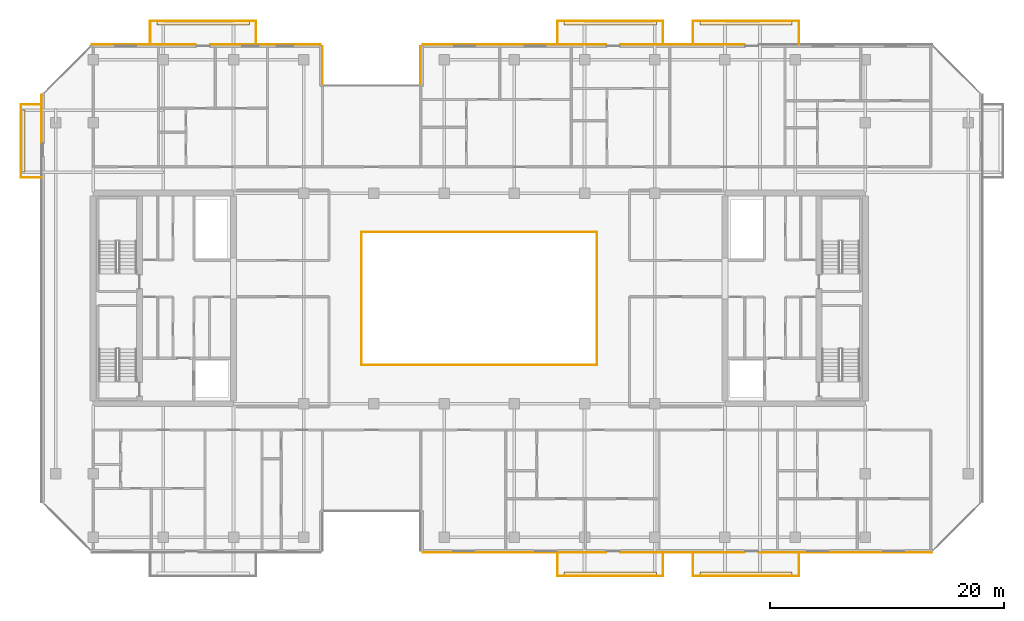
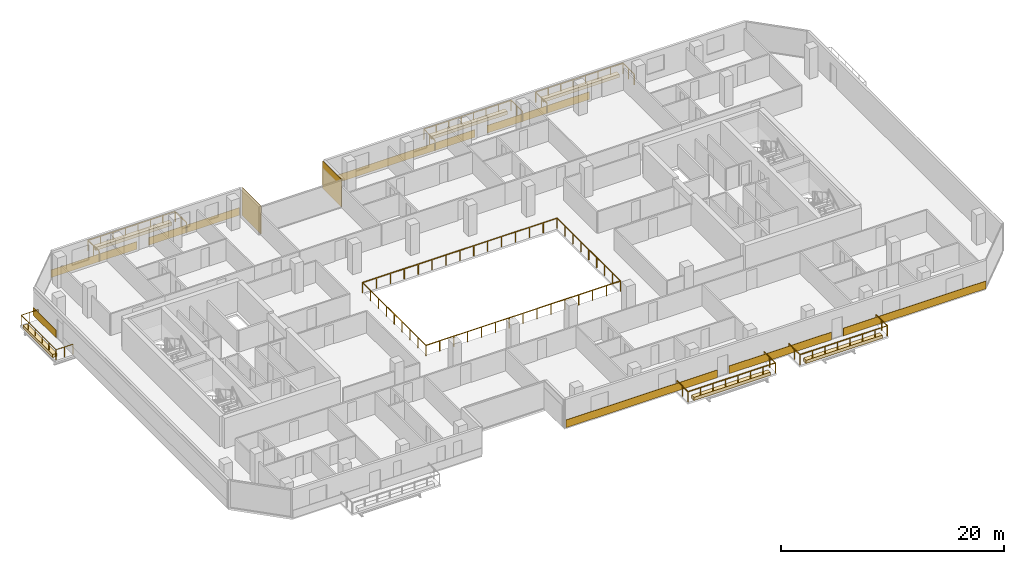
# One storey, part 28 of 29: 16 coverings, 8 railings.
"""IFC4 building model written with IfcOpenShell, lengths in metres."""

from ifc_helpers import new_model, si_unit, direction, frame, origin, origin_2d, place, context, subcontext, project, spatial, polyline, rectangle, outline, extrude, material, layer, layer_set, type_object, element, save


model = new_model("IFC4")

# Units and contexts
model_context = context("Model", 3, precision=1e-05, world=origin(), true_north=direction((0.0, 1.0)))
body_context = subcontext(model_context, "Body", "Model", "MODEL_VIEW")
ifc_project = project(units=[si_unit("LENGTHUNIT", "METRE"), si_unit("AREAUNIT", "SQUARE_METRE"), si_unit("VOLUMEUNIT", "CUBIC_METRE"), si_unit("PLANEANGLEUNIT", "RADIAN"), si_unit("MASSUNIT", "GRAM", prefix="KILO")], contexts=[model_context])

# Site, building, storey
site_placement = place(None, origin())
site = spatial("IfcSite", under=ifc_project, at=site_placement, CompositionType="ELEMENT")
building_placement = place(site_placement, origin())
building = spatial("IfcBuilding", under=site, at=building_placement, Name="Tanjung Sevakor Pilgrim Tower", CompositionType="ELEMENT")
storey_placement = place(building_placement, frame((0.0, 0.0, 151.800048828125)))
storey = spatial("IfcBuildingStorey", under=building, at=storey_placement, Name="L42", CompositionType="ELEMENT", Elevation=151.800048828125)

# Coverings
ifc_material_1 = material(Name="Reconstructed Limestone Cladding", Category="masonry")
ifc_layer_1 = layer(ifc_material_1, 0.044921875)
ifc_layer_set_1 = layer_set([ifc_layer_1], Name="COV-CLAD-LIMESTONE")
covering_type_1 = type_object("IfcCoveringType", Name="COV-CLAD-LIMESTONE", PredefinedType="CLADDING", material=ifc_layer_set_1)
covering_1_placement = place(storey_placement, frame((60.00244140625, 11.87744140625, 0.009765625), z_axis=(0.0, 0.0, 1.0), x_axis=(1.0, 0.0, 0.0)))
element("IfcCovering", 1, at=covering_1_placement, inside=storey, type_object=covering_type_1, Name="L42 Warm Limestone Sill Spandrel EW-L42-MAIN-5-1", PredefinedType="CLADDING", context=body_context, shape_type="SweptSolid", body=[
    extrude(rectangle(XDim=15.675048828125, YDim=0.044921875, at=origin_2d()), origin(), (0.0, 0.0, 1.0), 0.840087890625),
])
covering_2_placement = place(storey_placement, frame((74.375, 11.87744140625, 0.009765625), z_axis=(0.0, 0.0, 1.0), x_axis=(1.0, 0.0, 0.0)))
element("IfcCovering", 2, at=covering_2_placement, inside=storey, type_object=covering_type_1, Name="L42 Warm Limestone Sill Spandrel EW-L42-MAIN-5-2", PredefinedType="CLADDING", context=body_context, shape_type="SweptSolid", body=[
    extrude(rectangle(XDim=10.6298828125, YDim=0.044921875, at=origin_2d()), origin(), (0.0, 0.0, 1.0), 0.840087890625),
])
covering_3_placement = place(storey_placement, frame((88.30908203125, 11.87744140625, 0.009765625), z_axis=(0.0, 0.0, 1.0), x_axis=(1.0, 0.0, 0.0)))
element("IfcCovering", 3, at=covering_3_placement, inside=storey, type_object=covering_type_1, Name="L42 Warm Limestone Sill Spandrel EW-L42-MAIN-5-3", PredefinedType="CLADDING", context=body_context, shape_type="SweptSolid", body=[
    extrude(rectangle(XDim=14.798095703125, YDim=0.044921875, at=origin_2d()), origin(), (0.0, 0.0, 1.0), 0.840087890625),
])
covering_4_placement = place(storey_placement, frame((74.375, 55.322509765625, 0.009765625), z_axis=(0.0, 0.0, 1.0), x_axis=(-1.0, 0.0, 0.0)))
element("IfcCovering", 4, at=covering_4_placement, inside=storey, type_object=covering_type_1, Name="L42 Warm Limestone Sill Spandrel EW-L42-MAIN-9-2", PredefinedType="CLADDING", context=body_context, shape_type="SweptSolid", body=[
    extrude(rectangle(XDim=10.6298828125, YDim=0.044921875, at=origin_2d()), origin(), (0.0, 0.0, 1.0), 0.840087890625),
])
covering_5_placement = place(storey_placement, frame((60.00244140625, 55.322509765625, 0.009765625), z_axis=(0.0, 0.0, 1.0), x_axis=(-1.0, 0.0, 0.0)))
element("IfcCovering", 5, at=covering_5_placement, inside=storey, type_object=covering_type_1, Name="L42 Warm Limestone Sill Spandrel EW-L42-MAIN-9-3", PredefinedType="CLADDING", context=body_context, shape_type="SweptSolid", body=[
    extrude(rectangle(XDim=15.675048828125, YDim=0.044921875, at=origin_2d()), origin(), (0.0, 0.0, 1.0), 0.840087890625),
])
for number, where, z_axis, x_axis, name in (
    (6, (51.9775390625, 53.47509765625, 0.02001953125), (0.0, 0.0, 1.0), (0.0, -1.0, 0.0), "L42 Warm Limestone Wall Cladding EW-L42-MAIN-10"),
    (7, (43.62255859375, 53.47509765625, 0.02001953125), (0.0, 0.0, 1.0), (0.0, 1.0, 0.0), "L42 Warm Limestone Wall Cladding EW-L42-MAIN-12"),
):
    element("IfcCovering", number, at=place(storey_placement, frame(where, z_axis=z_axis, x_axis=x_axis)), inside=storey, type_object=covering_type_1, Name=name, PredefinedType="CLADDING", context=body_context, shape_type="SweptSolid", body=[
        extrude(rectangle(XDim=3.360107421875, YDim=0.044921875, at=origin_2d()), origin(), (0.0, 0.0, 1.0), 3.0400390625),
    ])
covering_6_placement = place(storey_placement, frame((38.722412109375, 55.322509765625, 0.009765625), z_axis=(0.0, 0.0, 1.0), x_axis=(-1.0, 0.0, 0.0)))
element("IfcCovering", 8, at=covering_6_placement, inside=storey, type_object=covering_type_1, Name="L42 Warm Limestone Sill Spandrel EW-L42-MAIN-13-1", PredefinedType="CLADDING", context=body_context, shape_type="SweptSolid", body=[
    extrude(rectangle(XDim=9.425048828125, YDim=0.044921875, at=origin_2d()), origin(), (0.0, 0.0, 1.0), 0.840087890625),
])
covering_7_placement = place(storey_placement, frame((28.3408203125, 55.322509765625, 0.009765625), z_axis=(0.0, 0.0, 1.0), x_axis=(-1.0, 0.0, 0.0)))
element("IfcCovering", 9, at=covering_7_placement, inside=storey, type_object=covering_type_1, Name="L42 Warm Limestone Sill Spandrel EW-L42-MAIN-13-2", PredefinedType="CLADDING", context=body_context, shape_type="SweptSolid", body=[
    extrude(rectangle(XDim=8.898193359375, YDim=0.044921875, at=origin_2d()), origin(), (0.0, 0.0, 1.0), 0.840087890625),
])
covering_8_placement = place(storey_placement, frame((19.577392578125, 48.958984375, 0.009765625), z_axis=(0.0, 0.0, 1.0), x_axis=(0.0, -1.0, 0.0)))
element("IfcCovering", 10, at=covering_8_placement, inside=storey, type_object=covering_type_1, Name="L42 Warm Limestone Sill Spandrel EW-L42-MAIN-15-1", PredefinedType="CLADDING", context=body_context, shape_type="SweptSolid", body=[
    extrude(rectangle(XDim=4.09814453125, YDim=0.044921875, at=origin_2d()), origin(), (0.0, 0.0, 1.0), 0.840087890625),
])
ifc_material_2 = material(Name="Vegetated Modular Planter Assembly", Category="organic")
ifc_layer_2 = layer(ifc_material_2, 0.35009765625)
ifc_layer_set_2 = layer_set([ifc_layer_2], Name="COV-GRN-TROUGH")
covering_type_2 = type_object("IfcCoveringType", Name="COV-GRN-TROUGH", PredefinedType="CLADDING", material=ifc_layer_set_2)
covering_9_placement = place(storey_placement, origin())
element("IfcCovering", 11, at=covering_9_placement, inside=storey, type_object=covering_type_2, Name="L42 Planted Landscape Hedge Trough BGRN-L42-MAIN-N1", PredefinedType="CLADDING", context=body_context, shape_type="SweptSolid", body=[
    extrude(outline(polyline([(29.449951171875, 56.9599609375), (37.35009765625, 56.9599609375), (37.35009765625, 57.39990234375), (29.449951171875, 57.39990234375), (29.449951171875, 56.9599609375)])), origin(), (0.0, 0.0, 1.0), 0.349853515625),
])
covering_10_placement = place(storey_placement, origin())
element("IfcCovering", 12, at=covering_10_placement, inside=storey, type_object=covering_type_2, Name="L42 Planted Landscape Hedge Trough BGRN-L42-MAIN-S2", PredefinedType="CLADDING", context=body_context, shape_type="SweptSolid", body=[
    extrude(outline(polyline([(64.25, 9.800048828125), (72.14990234375, 9.800048828125), (72.14990234375, 10.239990234375), (64.25, 10.239990234375), (64.25, 9.800048828125)])), origin(), (0.0, 0.0, 1.0), 0.349853515625),
])
covering_11_placement = place(storey_placement, origin())
element("IfcCovering", 13, at=covering_11_placement, inside=storey, type_object=covering_type_2, Name="L42 Planted Landscape Hedge Trough BGRN-L42-MAIN-N2", PredefinedType="CLADDING", context=body_context, shape_type="SweptSolid", body=[
    extrude(outline(polyline([(64.25, 56.9599609375), (72.14990234375, 56.9599609375), (72.14990234375, 57.39990234375), (64.25, 57.39990234375), (64.25, 56.9599609375)])), origin(), (0.0, 0.0, 1.0), 0.349853515625),
])
covering_12_placement = place(storey_placement, origin())
element("IfcCovering", 14, at=covering_12_placement, inside=storey, type_object=covering_type_2, Name="L42 Planted Landscape Hedge Trough BGRN-L42-MAIN-S3", PredefinedType="CLADDING", context=body_context, shape_type="SweptSolid", body=[
    extrude(outline(polyline([(75.85009765625, 9.800048828125), (83.75, 9.800048828125), (83.75, 10.239990234375), (75.85009765625, 10.239990234375), (75.85009765625, 9.800048828125)])), origin(), (0.0, 0.0, 1.0), 0.349853515625),
])
covering_13_placement = place(storey_placement, origin())
element("IfcCovering", 15, at=covering_13_placement, inside=storey, type_object=covering_type_2, Name="L42 Planted Landscape Hedge Trough BGRN-L42-MAIN-N3", PredefinedType="CLADDING", context=body_context, shape_type="SweptSolid", body=[
    extrude(outline(polyline([(75.85009765625, 56.9599609375), (83.75, 56.9599609375), (83.75, 57.39990234375), (75.85009765625, 57.39990234375), (75.85009765625, 56.9599609375)])), origin(), (0.0, 0.0, 1.0), 0.349853515625),
])
covering_14_placement = place(storey_placement, origin())
element("IfcCovering", 16, at=covering_14_placement, inside=storey, type_object=covering_type_2, Name="L42 Planted Landscape Hedge Trough BGRN-L42-MAIN-W1", PredefinedType="CLADDING", context=body_context, shape_type="SweptSolid", body=[
    extrude(outline(polyline([(18.18994140625, 44.39990234375), (18.18994140625, 49.699951171875), (17.75, 49.699951171875), (17.75, 44.39990234375), (18.18994140625, 44.39990234375)])), origin(), (0.0, 0.0, 1.0), 0.349853515625),
])

# Railings
ifc_material_3 = material(Name="Laminated Glass and Aluminium", Category="aluminium")
railing_type = type_object("IfcRailingType", Name="RL-BAL-BALUST", PredefinedType="BALUSTRADE", material=ifc_material_3)
railing_1_placement = place(storey_placement, frame((46.919921875, 27.919921875, 0.0)))
element("IfcRailing", 17, at=railing_1_placement, inside=storey, type_object=railing_type, Name="L42 Void Opening Balustrade 1A", PredefinedType="BALUSTRADE", context=body_context, shape_type="SweptSolid", body=[
    extrude(rectangle(XDim=0.0479, YDim=0.0479), frame((0.0, 0.0, 1.1259765625), z_axis=(1.0, 0.0, 0.0), x_axis=(0.0, 1.0, 0.0)), (0.0, 0.0, 1.0), 20.16015625),
    extrude(rectangle(XDim=0.0479, YDim=0.0479), frame((20.16015625, 0.0, 1.1259765625), z_axis=(0.0, 1.0, 0.0), x_axis=(-1.0, 0.0, 0.0)), (0.0, 0.0, 1.0), 11.360107421875),
    extrude(rectangle(XDim=0.042, YDim=0.042), origin(), (0.0, 0.0, 1.0), 1.101806640625),
    extrude(rectangle(XDim=0.042, YDim=0.042), frame((1.43994140625, 0.0, 0.0)), (0.0, 0.0, 1.0), 1.101806640625),
    extrude(rectangle(XDim=0.042, YDim=0.042), frame((2.880126953125, 0.0, 0.0)), (0.0, 0.0, 1.0), 1.101806640625),
    extrude(rectangle(XDim=0.042, YDim=0.042), frame((4.320068359375, 0.0, 0.0)), (0.0, 0.0, 1.0), 1.101806640625),
    extrude(rectangle(XDim=0.042, YDim=0.042), frame((5.760009765625, 0.0, 0.0)), (0.0, 0.0, 1.0), 1.101806640625),
    extrude(rectangle(XDim=0.042, YDim=0.042), frame((7.199951171875, 0.0, 0.0)), (0.0, 0.0, 1.0), 1.101806640625),
    extrude(rectangle(XDim=0.042, YDim=0.042), frame((8.64013671875, 0.0, 0.0)), (0.0, 0.0, 1.0), 1.101806640625),
    extrude(rectangle(XDim=0.042, YDim=0.042), frame((10.080078125, 0.0, 0.0)), (0.0, 0.0, 1.0), 1.101806640625),
    extrude(rectangle(XDim=0.042, YDim=0.042), frame((11.52001953125, 0.0, 0.0)), (0.0, 0.0, 1.0), 1.101806640625),
    extrude(rectangle(XDim=0.042, YDim=0.042), frame((12.960205078125, 0.0, 0.0)), (0.0, 0.0, 1.0), 1.101806640625),
    extrude(rectangle(XDim=0.042, YDim=0.042), frame((14.400146484375, 0.0, 0.0)), (0.0, 0.0, 1.0), 1.101806640625),
    extrude(rectangle(XDim=0.042, YDim=0.042), frame((15.840087890625, 0.0, 0.0)), (0.0, 0.0, 1.0), 1.101806640625),
    extrude(rectangle(XDim=0.042, YDim=0.042), frame((17.280029296875, 0.0, 0.0)), (0.0, 0.0, 1.0), 1.101806640625),
    extrude(rectangle(XDim=0.042, YDim=0.042), frame((18.72021484375, 0.0, 0.0)), (0.0, 0.0, 1.0), 1.101806640625),
    extrude(rectangle(XDim=0.042, YDim=0.042), frame((20.16015625, 0.0, 0.0)), (0.0, 0.0, 1.0), 1.101806640625),
    extrude(rectangle(XDim=0.042, YDim=0.042), frame((20.16015625, 1.419921875, 0.0)), (0.0, 0.0, 1.0), 1.101806640625),
    extrude(rectangle(XDim=0.042, YDim=0.042), frame((20.16015625, 2.840087890625, 0.0)), (0.0, 0.0, 1.0), 1.101806640625),
    extrude(rectangle(XDim=0.042, YDim=0.042), frame((20.16015625, 4.260009765625, 0.0)), (0.0, 0.0, 1.0), 1.101806640625),
    extrude(rectangle(XDim=0.042, YDim=0.042), frame((20.16015625, 5.68017578125, 0.0)), (0.0, 0.0, 1.0), 1.101806640625),
    extrude(rectangle(XDim=0.042, YDim=0.042), frame((20.16015625, 7.10009765625, 0.0)), (0.0, 0.0, 1.0), 1.101806640625),
    extrude(rectangle(XDim=0.042, YDim=0.042), frame((20.16015625, 8.52001953125, 0.0)), (0.0, 0.0, 1.0), 1.101806640625),
    extrude(rectangle(XDim=0.042, YDim=0.042), frame((20.16015625, 9.940185546875, 0.0)), (0.0, 0.0, 1.0), 1.101806640625),
    extrude(rectangle(XDim=0.042, YDim=0.042), frame((20.16015625, 11.360107421875, 0.0)), (0.0, 0.0, 1.0), 1.101806640625),
])
railing_2_placement = place(storey_placement, frame((67.080078125, 39.280029296875, 0.0)))
element("IfcRailing", 18, at=railing_2_placement, inside=storey, type_object=railing_type, Name="L42 Void Opening Balustrade 1B", PredefinedType="BALUSTRADE", context=body_context, shape_type="SweptSolid", body=[
    extrude(rectangle(XDim=0.0479, YDim=0.0479), frame((0.0, 0.0, 1.1259765625), z_axis=(-1.0, 0.0, 0.0), x_axis=(0.0, -1.0, 0.0)), (0.0, 0.0, 1.0), 20.16015625),
    extrude(rectangle(XDim=0.0479, YDim=0.0479), frame((-20.16015625, 0.0, 1.1259765625), z_axis=(0.0, -1.0, 0.0), x_axis=(1.0, 0.0, 0.0)), (0.0, 0.0, 1.0), 11.360107421875),
    extrude(rectangle(XDim=0.042, YDim=0.042), origin(), (0.0, 0.0, 1.0), 1.101806640625),
    extrude(rectangle(XDim=0.042, YDim=0.042), frame((-1.43994140625, 0.0, 0.0)), (0.0, 0.0, 1.0), 1.101806640625),
    extrude(rectangle(XDim=0.042, YDim=0.042), frame((-2.880126953125, 0.0, 0.0)), (0.0, 0.0, 1.0), 1.101806640625),
    extrude(rectangle(XDim=0.042, YDim=0.042), frame((-4.320068359375, 0.0, 0.0)), (0.0, 0.0, 1.0), 1.101806640625),
    extrude(rectangle(XDim=0.042, YDim=0.042), frame((-5.760009765625, 0.0, 0.0)), (0.0, 0.0, 1.0), 1.101806640625),
    extrude(rectangle(XDim=0.042, YDim=0.042), frame((-7.199951171875, 0.0, 0.0)), (0.0, 0.0, 1.0), 1.101806640625),
    extrude(rectangle(XDim=0.042, YDim=0.042), frame((-8.64013671875, 0.0, 0.0)), (0.0, 0.0, 1.0), 1.101806640625),
    extrude(rectangle(XDim=0.042, YDim=0.042), frame((-10.080078125, 0.0, 0.0)), (0.0, 0.0, 1.0), 1.101806640625),
    extrude(rectangle(XDim=0.042, YDim=0.042), frame((-11.52001953125, 0.0, 0.0)), (0.0, 0.0, 1.0), 1.101806640625),
    extrude(rectangle(XDim=0.042, YDim=0.042), frame((-12.960205078125, 0.0, 0.0)), (0.0, 0.0, 1.0), 1.101806640625),
    extrude(rectangle(XDim=0.042, YDim=0.042), frame((-14.400146484375, 0.0, 0.0)), (0.0, 0.0, 1.0), 1.101806640625),
    extrude(rectangle(XDim=0.042, YDim=0.042), frame((-15.840087890625, 0.0, 0.0)), (0.0, 0.0, 1.0), 1.101806640625),
    extrude(rectangle(XDim=0.042, YDim=0.042), frame((-17.280029296875, 0.0, 0.0)), (0.0, 0.0, 1.0), 1.101806640625),
    extrude(rectangle(XDim=0.042, YDim=0.042), frame((-18.72021484375, 0.0, 0.0)), (0.0, 0.0, 1.0), 1.101806640625),
    extrude(rectangle(XDim=0.042, YDim=0.042), frame((-20.16015625, 0.0, 0.0)), (0.0, 0.0, 1.0), 1.101806640625),
    extrude(rectangle(XDim=0.042, YDim=0.042), frame((-20.16015625, -1.419921875, 0.0)), (0.0, 0.0, 1.0), 1.101806640625),
    extrude(rectangle(XDim=0.042, YDim=0.042), frame((-20.16015625, -2.840087890625, 0.0)), (0.0, 0.0, 1.0), 1.101806640625),
    extrude(rectangle(XDim=0.042, YDim=0.042), frame((-20.16015625, -4.260009765625, 0.0)), (0.0, 0.0, 1.0), 1.101806640625),
    extrude(rectangle(XDim=0.042, YDim=0.042), frame((-20.16015625, -5.68017578125, 0.0)), (0.0, 0.0, 1.0), 1.101806640625),
    extrude(rectangle(XDim=0.042, YDim=0.042), frame((-20.16015625, -7.10009765625, 0.0)), (0.0, 0.0, 1.0), 1.101806640625),
    extrude(rectangle(XDim=0.042, YDim=0.042), frame((-20.16015625, -8.52001953125, 0.0)), (0.0, 0.0, 1.0), 1.101806640625),
    extrude(rectangle(XDim=0.042, YDim=0.042), frame((-20.16015625, -9.940185546875, 0.0)), (0.0, 0.0, 1.0), 1.101806640625),
    extrude(rectangle(XDim=0.042, YDim=0.042), frame((-20.16015625, -11.360107421875, 0.0)), (0.0, 0.0, 1.0), 1.101806640625),
])
railing_3_placement = place(storey_placement, frame((28.8798828125, 55.300048828125, 0.0)))
element("IfcRailing", 19, at=railing_3_placement, inside=storey, type_object=railing_type, Name="L42 Loggia Balustrade MAIN-N1", PredefinedType="BALUSTRADE", context=body_context, shape_type="SweptSolid", body=[
    extrude(rectangle(XDim=0.0479, YDim=0.0479), frame((0.0, 0.0, 1.1259765625), z_axis=(0.0, 1.0, 0.0), x_axis=(-1.0, 0.0, 0.0)), (0.0, 0.0, 1.0), 2.02001953125),
    extrude(rectangle(XDim=0.0479, YDim=0.0479), frame((0.0, 2.02001953125, 1.1259765625), z_axis=(1.0, 0.0, 0.0), x_axis=(0.0, 1.0, 0.0)), (0.0, 0.0, 1.0), 9.0400390625),
    extrude(rectangle(XDim=0.0479, YDim=0.0479), frame((9.0400390625, 2.02001953125, 1.1259765625), z_axis=(0.0, -1.0, 0.0), x_axis=(1.0, 0.0, 0.0)), (0.0, 0.0, 1.0), 2.02001953125),
    extrude(rectangle(XDim=0.042, YDim=0.042), origin(), (0.0, 0.0, 1.0), 1.101806640625),
    extrude(rectangle(XDim=0.042, YDim=0.042), frame((0.0, 1.010009765625, 0.0)), (0.0, 0.0, 1.0), 1.101806640625),
    extrude(rectangle(XDim=0.042, YDim=0.042), frame((0.0, 2.02001953125, 0.0)), (0.0, 0.0, 1.0), 1.101806640625),
    extrude(rectangle(XDim=0.042, YDim=0.042), frame((1.29150390625, 2.02001953125, 0.0)), (0.0, 0.0, 1.0), 1.101806640625),
    extrude(rectangle(XDim=0.042, YDim=0.042), frame((2.582763671875, 2.02001953125, 0.0)), (0.0, 0.0, 1.0), 1.101806640625),
    extrude(rectangle(XDim=0.042, YDim=0.042), frame((3.874267578125, 2.02001953125, 0.0)), (0.0, 0.0, 1.0), 1.101806640625),
    extrude(rectangle(XDim=0.042, YDim=0.042), frame((5.165771484375, 2.02001953125, 0.0)), (0.0, 0.0, 1.0), 1.101806640625),
    extrude(rectangle(XDim=0.042, YDim=0.042), frame((6.457275390625, 2.02001953125, 0.0)), (0.0, 0.0, 1.0), 1.101806640625),
    extrude(rectangle(XDim=0.042, YDim=0.042), frame((7.74853515625, 2.02001953125, 0.0)), (0.0, 0.0, 1.0), 1.101806640625),
    extrude(rectangle(XDim=0.042, YDim=0.042), frame((9.0400390625, 2.02001953125, 0.0)), (0.0, 0.0, 1.0), 1.101806640625),
    extrude(rectangle(XDim=0.042, YDim=0.042), frame((9.0400390625, 1.010009765625, 0.0)), (0.0, 0.0, 1.0), 1.101806640625),
    extrude(rectangle(XDim=0.042, YDim=0.042), frame((9.0400390625, 0.0, 0.0)), (0.0, 0.0, 1.0), 1.101806640625),
])
railing_4_placement = place(storey_placement, frame((63.679931640625, 11.89990234375, 0.0)))
element("IfcRailing", 20, at=railing_4_placement, inside=storey, type_object=railing_type, Name="L42 Loggia Balustrade MAIN-S2", PredefinedType="BALUSTRADE", context=body_context, shape_type="SweptSolid", body=[
    extrude(rectangle(XDim=0.0479, YDim=0.0479), frame((0.0, 0.0, 1.1259765625), z_axis=(0.0, -1.0, 0.0), x_axis=(1.0, 0.0, 0.0)), (0.0, 0.0, 1.0), 2.02001953125),
    extrude(rectangle(XDim=0.0479, YDim=0.0479), frame((0.0, -2.02001953125, 1.1259765625), z_axis=(1.0, 0.0, 0.0), x_axis=(0.0, 1.0, 0.0)), (0.0, 0.0, 1.0), 9.0400390625),
    extrude(rectangle(XDim=0.0479, YDim=0.0479), frame((9.0400390625, -2.02001953125, 1.1259765625), z_axis=(0.0, 1.0, 0.0), x_axis=(-1.0, 0.0, 0.0)), (0.0, 0.0, 1.0), 2.02001953125),
    extrude(rectangle(XDim=0.042, YDim=0.042), origin(), (0.0, 0.0, 1.0), 1.101806640625),
    extrude(rectangle(XDim=0.042, YDim=0.042), frame((0.0, -1.010009765625, 0.0)), (0.0, 0.0, 1.0), 1.101806640625),
    extrude(rectangle(XDim=0.042, YDim=0.042), frame((0.0, -2.02001953125, 0.0)), (0.0, 0.0, 1.0), 1.101806640625),
    extrude(rectangle(XDim=0.042, YDim=0.042), frame((1.29150390625, -2.02001953125, 0.0)), (0.0, 0.0, 1.0), 1.101806640625),
    extrude(rectangle(XDim=0.042, YDim=0.042), frame((2.582763671875, -2.02001953125, 0.0)), (0.0, 0.0, 1.0), 1.101806640625),
    extrude(rectangle(XDim=0.042, YDim=0.042), frame((3.874267578125, -2.02001953125, 0.0)), (0.0, 0.0, 1.0), 1.101806640625),
    extrude(rectangle(XDim=0.042, YDim=0.042), frame((5.165771484375, -2.02001953125, 0.0)), (0.0, 0.0, 1.0), 1.101806640625),
    extrude(rectangle(XDim=0.042, YDim=0.042), frame((6.457275390625, -2.02001953125, 0.0)), (0.0, 0.0, 1.0), 1.101806640625),
    extrude(rectangle(XDim=0.042, YDim=0.042), frame((7.74853515625, -2.02001953125, 0.0)), (0.0, 0.0, 1.0), 1.101806640625),
    extrude(rectangle(XDim=0.042, YDim=0.042), frame((9.0400390625, -2.02001953125, 0.0)), (0.0, 0.0, 1.0), 1.101806640625),
    extrude(rectangle(XDim=0.042, YDim=0.042), frame((9.0400390625, -1.010009765625, 0.0)), (0.0, 0.0, 1.0), 1.101806640625),
    extrude(rectangle(XDim=0.042, YDim=0.042), frame((9.0400390625, 0.0, 0.0)), (0.0, 0.0, 1.0), 1.101806640625),
])
railing_5_placement = place(storey_placement, frame((63.679931640625, 55.300048828125, 0.0)))
element("IfcRailing", 21, at=railing_5_placement, inside=storey, type_object=railing_type, Name="L42 Loggia Balustrade MAIN-N2", PredefinedType="BALUSTRADE", context=body_context, shape_type="SweptSolid", body=[
    extrude(rectangle(XDim=0.0479, YDim=0.0479), frame((0.0, 0.0, 1.1259765625), z_axis=(0.0, 1.0, 0.0), x_axis=(-1.0, 0.0, 0.0)), (0.0, 0.0, 1.0), 2.02001953125),
    extrude(rectangle(XDim=0.0479, YDim=0.0479), frame((0.0, 2.02001953125, 1.1259765625), z_axis=(1.0, 0.0, 0.0), x_axis=(0.0, 1.0, 0.0)), (0.0, 0.0, 1.0), 9.0400390625),
    extrude(rectangle(XDim=0.0479, YDim=0.0479), frame((9.0400390625, 2.02001953125, 1.1259765625), z_axis=(0.0, -1.0, 0.0), x_axis=(1.0, 0.0, 0.0)), (0.0, 0.0, 1.0), 2.02001953125),
    extrude(rectangle(XDim=0.042, YDim=0.042), origin(), (0.0, 0.0, 1.0), 1.101806640625),
    extrude(rectangle(XDim=0.042, YDim=0.042), frame((0.0, 1.010009765625, 0.0)), (0.0, 0.0, 1.0), 1.101806640625),
    extrude(rectangle(XDim=0.042, YDim=0.042), frame((0.0, 2.02001953125, 0.0)), (0.0, 0.0, 1.0), 1.101806640625),
    extrude(rectangle(XDim=0.042, YDim=0.042), frame((1.29150390625, 2.02001953125, 0.0)), (0.0, 0.0, 1.0), 1.101806640625),
    extrude(rectangle(XDim=0.042, YDim=0.042), frame((2.582763671875, 2.02001953125, 0.0)), (0.0, 0.0, 1.0), 1.101806640625),
    extrude(rectangle(XDim=0.042, YDim=0.042), frame((3.874267578125, 2.02001953125, 0.0)), (0.0, 0.0, 1.0), 1.101806640625),
    extrude(rectangle(XDim=0.042, YDim=0.042), frame((5.165771484375, 2.02001953125, 0.0)), (0.0, 0.0, 1.0), 1.101806640625),
    extrude(rectangle(XDim=0.042, YDim=0.042), frame((6.457275390625, 2.02001953125, 0.0)), (0.0, 0.0, 1.0), 1.101806640625),
    extrude(rectangle(XDim=0.042, YDim=0.042), frame((7.74853515625, 2.02001953125, 0.0)), (0.0, 0.0, 1.0), 1.101806640625),
    extrude(rectangle(XDim=0.042, YDim=0.042), frame((9.0400390625, 2.02001953125, 0.0)), (0.0, 0.0, 1.0), 1.101806640625),
    extrude(rectangle(XDim=0.042, YDim=0.042), frame((9.0400390625, 1.010009765625, 0.0)), (0.0, 0.0, 1.0), 1.101806640625),
    extrude(rectangle(XDim=0.042, YDim=0.042), frame((9.0400390625, 0.0, 0.0)), (0.0, 0.0, 1.0), 1.101806640625),
])
railing_6_placement = place(storey_placement, frame((75.280029296875, 11.89990234375, 0.0)))
element("IfcRailing", 22, at=railing_6_placement, inside=storey, type_object=railing_type, Name="L42 Loggia Balustrade MAIN-S3", PredefinedType="BALUSTRADE", context=body_context, shape_type="SweptSolid", body=[
    extrude(rectangle(XDim=0.0479, YDim=0.0479), frame((0.0, 0.0, 1.1259765625), z_axis=(0.0, -1.0, 0.0), x_axis=(1.0, 0.0, 0.0)), (0.0, 0.0, 1.0), 2.02001953125),
    extrude(rectangle(XDim=0.0479, YDim=0.0479), frame((0.0, -2.02001953125, 1.1259765625), z_axis=(1.0, 0.0, 0.0), x_axis=(0.0, 1.0, 0.0)), (0.0, 0.0, 1.0), 9.0400390625),
    extrude(rectangle(XDim=0.0479, YDim=0.0479), frame((9.0400390625, -2.02001953125, 1.1259765625), z_axis=(0.0, 1.0, 0.0), x_axis=(-1.0, 0.0, 0.0)), (0.0, 0.0, 1.0), 2.02001953125),
    extrude(rectangle(XDim=0.042, YDim=0.042), origin(), (0.0, 0.0, 1.0), 1.101806640625),
    extrude(rectangle(XDim=0.042, YDim=0.042), frame((0.0, -1.010009765625, 0.0)), (0.0, 0.0, 1.0), 1.101806640625),
    extrude(rectangle(XDim=0.042, YDim=0.042), frame((0.0, -2.02001953125, 0.0)), (0.0, 0.0, 1.0), 1.101806640625),
    extrude(rectangle(XDim=0.042, YDim=0.042), frame((1.29150390625, -2.02001953125, 0.0)), (0.0, 0.0, 1.0), 1.101806640625),
    extrude(rectangle(XDim=0.042, YDim=0.042), frame((2.582763671875, -2.02001953125, 0.0)), (0.0, 0.0, 1.0), 1.101806640625),
    extrude(rectangle(XDim=0.042, YDim=0.042), frame((3.874267578125, -2.02001953125, 0.0)), (0.0, 0.0, 1.0), 1.101806640625),
    extrude(rectangle(XDim=0.042, YDim=0.042), frame((5.165771484375, -2.02001953125, 0.0)), (0.0, 0.0, 1.0), 1.101806640625),
    extrude(rectangle(XDim=0.042, YDim=0.042), frame((6.457275390625, -2.02001953125, 0.0)), (0.0, 0.0, 1.0), 1.101806640625),
    extrude(rectangle(XDim=0.042, YDim=0.042), frame((7.74853515625, -2.02001953125, 0.0)), (0.0, 0.0, 1.0), 1.101806640625),
    extrude(rectangle(XDim=0.042, YDim=0.042), frame((9.0400390625, -2.02001953125, 0.0)), (0.0, 0.0, 1.0), 1.101806640625),
    extrude(rectangle(XDim=0.042, YDim=0.042), frame((9.0400390625, -1.010009765625, 0.0)), (0.0, 0.0, 1.0), 1.101806640625),
    extrude(rectangle(XDim=0.042, YDim=0.042), frame((9.0400390625, 0.0, 0.0)), (0.0, 0.0, 1.0), 1.101806640625),
])
railing_7_placement = place(storey_placement, frame((75.280029296875, 55.300048828125, 0.0)))
element("IfcRailing", 23, at=railing_7_placement, inside=storey, type_object=railing_type, Name="L42 Loggia Balustrade MAIN-N3", PredefinedType="BALUSTRADE", context=body_context, shape_type="SweptSolid", body=[
    extrude(rectangle(XDim=0.0479, YDim=0.0479), frame((0.0, 0.0, 1.1259765625), z_axis=(0.0, 1.0, 0.0), x_axis=(-1.0, 0.0, 0.0)), (0.0, 0.0, 1.0), 2.02001953125),
    extrude(rectangle(XDim=0.0479, YDim=0.0479), frame((0.0, 2.02001953125, 1.1259765625), z_axis=(1.0, 0.0, 0.0), x_axis=(0.0, 1.0, 0.0)), (0.0, 0.0, 1.0), 9.0400390625),
    extrude(rectangle(XDim=0.0479, YDim=0.0479), frame((9.0400390625, 2.02001953125, 1.1259765625), z_axis=(0.0, -1.0, 0.0), x_axis=(1.0, 0.0, 0.0)), (0.0, 0.0, 1.0), 2.02001953125),
    extrude(rectangle(XDim=0.042, YDim=0.042), origin(), (0.0, 0.0, 1.0), 1.101806640625),
    extrude(rectangle(XDim=0.042, YDim=0.042), frame((0.0, 1.010009765625, 0.0)), (0.0, 0.0, 1.0), 1.101806640625),
    extrude(rectangle(XDim=0.042, YDim=0.042), frame((0.0, 2.02001953125, 0.0)), (0.0, 0.0, 1.0), 1.101806640625),
    extrude(rectangle(XDim=0.042, YDim=0.042), frame((1.29150390625, 2.02001953125, 0.0)), (0.0, 0.0, 1.0), 1.101806640625),
    extrude(rectangle(XDim=0.042, YDim=0.042), frame((2.582763671875, 2.02001953125, 0.0)), (0.0, 0.0, 1.0), 1.101806640625),
    extrude(rectangle(XDim=0.042, YDim=0.042), frame((3.874267578125, 2.02001953125, 0.0)), (0.0, 0.0, 1.0), 1.101806640625),
    extrude(rectangle(XDim=0.042, YDim=0.042), frame((5.165771484375, 2.02001953125, 0.0)), (0.0, 0.0, 1.0), 1.101806640625),
    extrude(rectangle(XDim=0.042, YDim=0.042), frame((6.457275390625, 2.02001953125, 0.0)), (0.0, 0.0, 1.0), 1.101806640625),
    extrude(rectangle(XDim=0.042, YDim=0.042), frame((7.74853515625, 2.02001953125, 0.0)), (0.0, 0.0, 1.0), 1.101806640625),
    extrude(rectangle(XDim=0.042, YDim=0.042), frame((9.0400390625, 2.02001953125, 0.0)), (0.0, 0.0, 1.0), 1.101806640625),
    extrude(rectangle(XDim=0.042, YDim=0.042), frame((9.0400390625, 1.010009765625, 0.0)), (0.0, 0.0, 1.0), 1.101806640625),
    extrude(rectangle(XDim=0.042, YDim=0.042), frame((9.0400390625, 0.0, 0.0)), (0.0, 0.0, 1.0), 1.101806640625),
])
railing_8_placement = place(storey_placement, frame((19.60009765625, 43.929931640625, 0.0)))
element("IfcRailing", 24, at=railing_8_placement, inside=storey, type_object=railing_type, Name="L42 Loggia Balustrade MAIN-W1", PredefinedType="BALUSTRADE", context=body_context, shape_type="SweptSolid", body=[
    extrude(rectangle(XDim=0.0479, YDim=0.0479), frame((0.0, 0.0, 1.1259765625), z_axis=(-1.0, 0.0, 0.0), x_axis=(0.0, -1.0, 0.0)), (0.0, 0.0, 1.0), 1.77001953125),
    extrude(rectangle(XDim=0.0479, YDim=0.0479), frame((-1.77001953125, 0.0, 1.1259765625), z_axis=(0.0, 1.0, 0.0), x_axis=(-1.0, 0.0, 0.0)), (0.0, 0.0, 1.0), 6.239990234375),
    extrude(rectangle(XDim=0.0479, YDim=0.0479), frame((-1.77001953125, 6.239990234375, 1.1259765625), z_axis=(1.0, 0.0, 0.0), x_axis=(0.0, 1.0, 0.0)), (0.0, 0.0, 1.0), 1.77001953125),
    extrude(rectangle(XDim=0.042, YDim=0.042), origin(), (0.0, 0.0, 1.0), 1.101806640625),
    extrude(rectangle(XDim=0.042, YDim=0.042), frame((-0.885009765625, 0.0, 0.0)), (0.0, 0.0, 1.0), 1.101806640625),
    extrude(rectangle(XDim=0.042, YDim=0.042), frame((-1.77001953125, 0.0, 0.0)), (0.0, 0.0, 1.0), 1.101806640625),
    extrude(rectangle(XDim=0.042, YDim=0.042), frame((-1.77001953125, 1.248046875, 0.0)), (0.0, 0.0, 1.0), 1.101806640625),
    extrude(rectangle(XDim=0.042, YDim=0.042), frame((-1.77001953125, 2.49609375, 0.0)), (0.0, 0.0, 1.0), 1.101806640625),
    extrude(rectangle(XDim=0.042, YDim=0.042), frame((-1.77001953125, 3.743896484375, 0.0)), (0.0, 0.0, 1.0), 1.101806640625),
    extrude(rectangle(XDim=0.042, YDim=0.042), frame((-1.77001953125, 4.991943359375, 0.0)), (0.0, 0.0, 1.0), 1.101806640625),
    extrude(rectangle(XDim=0.042, YDim=0.042), frame((-1.77001953125, 6.239990234375, 0.0)), (0.0, 0.0, 1.0), 1.101806640625),
    extrude(rectangle(XDim=0.042, YDim=0.042), frame((-0.885009765625, 6.239990234375, 0.0)), (0.0, 0.0, 1.0), 1.101806640625),
    extrude(rectangle(XDim=0.042, YDim=0.042), frame((0.0, 6.239990234375, 0.0)), (0.0, 0.0, 1.0), 1.101806640625),
])

save(model, "model.ifc")
